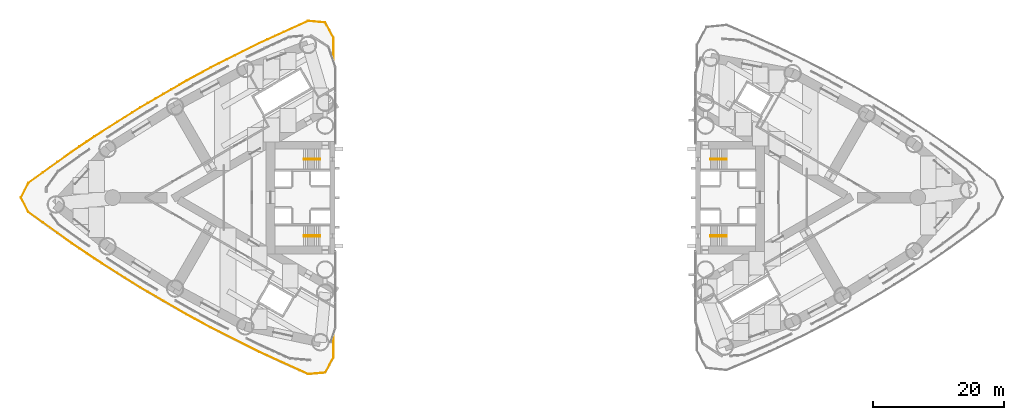
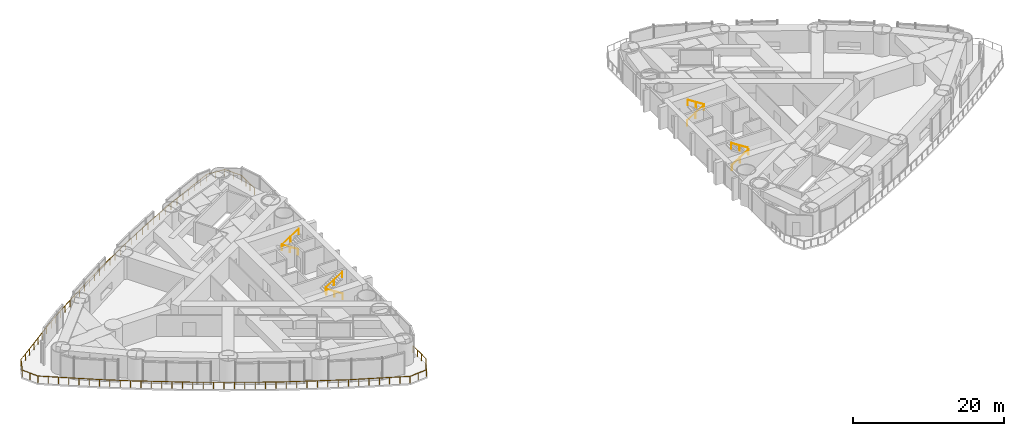
# One storey, part 18 of 19: 9 railings.
"""IFC4 building model written with IfcOpenShell, lengths in metres."""

from ifc_helpers import new_model, si_unit, direction, frame, origin, origin_2d, place, context, subcontext, project, spatial, circle, extrude, material, type_object, element, save


model = new_model("IFC4")

# Units and contexts
model_context = context("Model", 3, precision=1e-05, world=origin(), true_north=direction((0.0, 1.0)))
body_context = subcontext(model_context, "Body", "Model", "MODEL_VIEW")
ifc_project = project(units=[si_unit("LENGTHUNIT", "METRE"), si_unit("AREAUNIT", "SQUARE_METRE"), si_unit("VOLUMEUNIT", "CUBIC_METRE"), si_unit("PLANEANGLEUNIT", "RADIAN"), si_unit("MASSUNIT", "GRAM", prefix="KILO")], contexts=[model_context])

# Site, building, storey
site_placement = place(None, origin())
site = spatial("IfcSite", under=ifc_project, at=site_placement, CompositionType="ELEMENT")
building_placement = place(site_placement, origin())
building = spatial("IfcBuilding", under=site, at=building_placement, Name="Lancet Gate Hotel", CompositionType="ELEMENT")
storey_placement = place(building_placement, frame((0.0, 0.0, 87.0)))
storey = spatial("IfcBuildingStorey", under=building, at=storey_placement, Name="L22", CompositionType="ELEMENT", Elevation=87.0)

# Railings
ifc_material_1 = material(Name="Galvanised steel guard rail", Category="steel")
railing_type_1 = type_object("IfcRailingType", Name="Roof guard rail 1100", PredefinedType="GUARDRAIL", material=ifc_material_1)
railing_1_placement = place(storey_placement, frame((-27.77001953125, 21.0625, 0.0)))
element("IfcRailing", 1, at=railing_1_placement, inside=storey, type_object=railing_type_1, Name="T1 L22 maintenance roof guard rail", PredefinedType="GUARDRAIL", context=body_context, shape_type="SweptSolid", body=[
    extrude(circle(Radius=0.02392578125, at=origin_2d()), frame((0.0, 0.0, 1.076171875), z_axis=(0.0, 1.0, 0.0), x_axis=(-1.0, 0.0, 0.0)), (0.0, 0.0, 1.0), 3.360595703125),
    extrude(circle(Radius=0.02392578125, at=origin_2d()), frame((0.0, 3.360595703125, 1.076171875), z_axis=(-0.474657984829, 0.880170322971, 0.0), x_axis=(-0.880170322971, -0.474657984829, 0.0)), (0.0, 0.0, 1.0), 2.634033203125),
    extrude(circle(Radius=0.02392578125, at=origin_2d()), frame((-1.250244140625, 5.678955078125, 1.076171875), z_axis=(-0.996201162881, 0.087081818278, 0.0), x_axis=(-0.087081818278, -0.996201162881, 0.0)), (0.0, 0.0, 1.0), 2.632568359375),
    extrude(circle(Radius=0.02392578125, at=origin_2d()), frame((-3.872802734375, 5.908203125, 1.076171875), z_axis=(-0.910180877163, -0.414211022121, 0.0), x_axis=(0.414211022121, -0.910180877163, 0.0)), (0.0, 0.0, 1.0), 8.202880859375),
    extrude(circle(Radius=0.02392578125, at=origin_2d()), frame((-11.3388671875, 2.510498046875, 1.076171875), z_axis=(-0.893296544097, -0.449467778938, 0.0), x_axis=(0.449467778938, -0.893296544097, 0.0)), (0.0, 0.0, 1.0), 8.269287109375),
    extrude(circle(Radius=0.02392578125, at=origin_2d()), frame((-18.725830078125, -1.206298828125, 1.076171875), z_axis=(-0.879694497586, -0.475539263276, 0.0), x_axis=(0.475539263276, -0.879694497586, 0.0)), (0.0, 0.0, 1.0), 4.135009765625),
    extrude(circle(Radius=0.02392578125, at=origin_2d()), frame((-22.36328125, -3.172607421875, 1.076171875), z_axis=(-0.86533059758, -0.501201513258, 0.0), x_axis=(0.501201513258, -0.86533059758, 0.0)), (0.0, 0.0, 1.0), 8.269775390625),
    extrude(circle(Radius=0.02392578125, at=origin_2d()), frame((-29.519287109375, -7.3173828125, 1.076171875), z_axis=(-0.845031194028, -0.534717010315, 0.0), x_axis=(0.534717010315, -0.845031194028, 0.0)), (0.0, 0.0, 1.0), 8.26953125),
    extrude(circle(Radius=0.02392578125, at=origin_2d()), frame((-36.50732421875, -11.7392578125, 1.076171875), z_axis=(-0.82895817475, -0.559310597536, 0.0), x_axis=(0.559310597536, -0.82895817475, 0.0)), (0.0, 0.0, 1.0), 4.135009765625),
    extrude(circle(Radius=0.02392578125, at=origin_2d()), frame((-39.93505859375, -14.052001953125, 1.076171875), z_axis=(-0.812174826088, -0.583414134101, 0.0), x_axis=(0.583414134101, -0.812174826088, 0.0)), (0.0, 0.0, 1.0), 8.20703125),
    extrude(circle(Radius=0.02392578125, at=origin_2d()), frame((-46.6005859375, -18.840087890625, 1.076171875), z_axis=(-0.447645766538, -0.894210974939, 0.0), x_axis=(0.894210974939, -0.447645766538, 0.0)), (0.0, 0.0, 1.0), 2.4853515625),
    extrude(circle(Radius=0.02392578125, at=origin_2d()), frame((-47.713134765625, -21.0625, 1.076171875), z_axis=(0.447645766538, -0.894210974939, 0.0), x_axis=(0.894210974939, 0.447645766538, 0.0)), (0.0, 0.0, 1.0), 2.4853515625),
    extrude(circle(Radius=0.02392578125, at=origin_2d()), frame((-46.6005859375, -23.284912109375, 1.076171875), z_axis=(0.812174826088, -0.583414134101, 0.0), x_axis=(0.583414134101, 0.812174826088, 0.0)), (0.0, 0.0, 1.0), 8.20703125),
    extrude(circle(Radius=0.02392578125, at=origin_2d()), frame((-39.93505859375, -28.072998046875, 1.076171875), z_axis=(0.82895817475, -0.559310597536, 0.0), x_axis=(0.559310597536, 0.82895817475, 0.0)), (0.0, 0.0, 1.0), 4.135009765625),
    extrude(circle(Radius=0.02392578125, at=origin_2d()), frame((-36.50732421875, -30.3857421875, 1.076171875), z_axis=(0.845031194028, -0.534717010315, 0.0), x_axis=(0.534717010315, 0.845031194028, 0.0)), (0.0, 0.0, 1.0), 8.26953125),
    extrude(circle(Radius=0.02392578125, at=origin_2d()), frame((-29.519287109375, -34.8076171875, 1.076171875), z_axis=(0.86533059758, -0.501201513258, 0.0), x_axis=(0.501201513258, 0.86533059758, 0.0)), (0.0, 0.0, 1.0), 8.269775390625),
    extrude(circle(Radius=0.02392578125, at=origin_2d()), frame((-22.36328125, -38.952392578125, 1.076171875), z_axis=(0.879694497586, -0.475539263276, 0.0), x_axis=(0.475539263276, 0.879694497586, 0.0)), (0.0, 0.0, 1.0), 4.135009765625),
    extrude(circle(Radius=0.02392578125, at=origin_2d()), frame((-18.725830078125, -40.918701171875, 1.076171875), z_axis=(0.893296544097, -0.449467778938, 0.0), x_axis=(0.449467778938, 0.893296544097, 0.0)), (0.0, 0.0, 1.0), 8.269287109375),
    extrude(circle(Radius=0.02392578125, at=origin_2d()), frame((-11.3388671875, -44.635498046875, 1.076171875), z_axis=(0.910180877163, -0.414211022121, 0.0), x_axis=(0.414211022121, 0.910180877163, 0.0)), (0.0, 0.0, 1.0), 8.202880859375),
    extrude(circle(Radius=0.02392578125, at=origin_2d()), frame((-3.872802734375, -48.033203125, 1.076171875), z_axis=(0.996201162881, 0.087081818278, 0.0), x_axis=(-0.087081818278, 0.996201162881, 0.0)), (0.0, 0.0, 1.0), 2.632568359375),
    extrude(circle(Radius=0.02392578125, at=origin_2d()), frame((-1.250244140625, -47.803955078125, 1.076171875), z_axis=(0.474657984829, 0.880170322971, 0.0), x_axis=(-0.880170322971, 0.474657984829, 0.0)), (0.0, 0.0, 1.0), 2.634033203125),
    extrude(circle(Radius=0.02392578125, at=origin_2d()), frame((0.0, -45.485595703125, 1.076171875), z_axis=(0.0, 1.0, 0.0), x_axis=(-1.0, 0.0, 0.0)), (0.0, 0.0, 1.0), 3.360595703125),
    extrude(circle(Radius=0.02099609375, at=origin_2d()), origin(), (0.0, 0.0, 1.0), 1.052001953125),
    extrude(circle(Radius=0.02099609375, at=origin_2d()), frame((0.0, 1.1201171875, 0.0)), (0.0, 0.0, 1.0), 1.052001953125),
    extrude(circle(Radius=0.02099609375, at=origin_2d()), frame((0.0, 2.240478515625, 0.0)), (0.0, 0.0, 1.0), 1.052001953125),
    extrude(circle(Radius=0.02099609375, at=origin_2d()), frame((0.0, 3.360595703125, 0.0)), (0.0, 0.0, 1.0), 1.052001953125),
    extrude(circle(Radius=0.02099609375, at=origin_2d()), frame((-0.625, 4.519775390625, 0.0)), (0.0, 0.0, 1.0), 1.052001953125),
    extrude(circle(Radius=0.02099609375, at=origin_2d()), frame((-1.250244140625, 5.678955078125, 0.0)), (0.0, 0.0, 1.0), 1.052001953125),
    extrude(circle(Radius=0.02099609375, at=origin_2d()), frame((-2.5615234375, 5.79345703125, 0.0)), (0.0, 0.0, 1.0), 1.052001953125),
    extrude(circle(Radius=0.02099609375, at=origin_2d()), frame((-3.872802734375, 5.908203125, 0.0)), (0.0, 0.0, 1.0), 1.052001953125),
    extrude(circle(Radius=0.02099609375, at=origin_2d()), frame((-5.1171875, 5.341796875, 0.0)), (0.0, 0.0, 1.0), 1.052001953125),
    extrude(circle(Radius=0.02099609375, at=origin_2d()), frame((-6.361572265625, 4.775634765625, 0.0)), (0.0, 0.0, 1.0), 1.052001953125),
    extrude(circle(Radius=0.02099609375, at=origin_2d()), frame((-7.60595703125, 4.20947265625, 0.0)), (0.0, 0.0, 1.0), 1.052001953125),
    extrude(circle(Radius=0.02099609375, at=origin_2d()), frame((-8.85009765625, 3.64306640625, 0.0)), (0.0, 0.0, 1.0), 1.052001953125),
    extrude(circle(Radius=0.02099609375, at=origin_2d()), frame((-10.094482421875, 3.07666015625, 0.0)), (0.0, 0.0, 1.0), 1.052001953125),
    extrude(circle(Radius=0.02099609375, at=origin_2d()), frame((-11.3388671875, 2.510498046875, 0.0)), (0.0, 0.0, 1.0), 1.052001953125),
    extrude(circle(Radius=0.02099609375, at=origin_2d()), frame((-12.570068359375, 1.89111328125, 0.0)), (0.0, 0.0, 1.0), 1.052001953125),
    extrude(circle(Radius=0.02099609375, at=origin_2d()), frame((-13.80126953125, 1.271484375, 0.0)), (0.0, 0.0, 1.0), 1.052001953125),
    extrude(circle(Radius=0.02099609375, at=origin_2d()), frame((-15.0322265625, 0.652099609375, 0.0)), (0.0, 0.0, 1.0), 1.052001953125),
    extrude(circle(Radius=0.02099609375, at=origin_2d()), frame((-16.263427734375, 0.03271484375, 0.0)), (0.0, 0.0, 1.0), 1.052001953125),
    extrude(circle(Radius=0.02099609375, at=origin_2d()), frame((-17.49462890625, -0.5869140625, 0.0)), (0.0, 0.0, 1.0), 1.052001953125),
    extrude(circle(Radius=0.02099609375, at=origin_2d()), frame((-18.725830078125, -1.206298828125, 0.0)), (0.0, 0.0, 1.0), 1.052001953125),
    extrude(circle(Radius=0.02099609375, at=origin_2d()), frame((-19.938232421875, -1.86181640625, 0.0)), (0.0, 0.0, 1.0), 1.052001953125),
    extrude(circle(Radius=0.02099609375, at=origin_2d()), frame((-21.15087890625, -2.51708984375, 0.0)), (0.0, 0.0, 1.0), 1.052001953125),
    extrude(circle(Radius=0.02099609375, at=origin_2d()), frame((-22.36328125, -3.172607421875, 0.0)), (0.0, 0.0, 1.0), 1.052001953125),
    extrude(circle(Radius=0.02099609375, at=origin_2d()), frame((-23.555908203125, -3.86328125, 0.0)), (0.0, 0.0, 1.0), 1.052001953125),
    extrude(circle(Radius=0.02099609375, at=origin_2d()), frame((-24.74853515625, -4.55419921875, 0.0)), (0.0, 0.0, 1.0), 1.052001953125),
    extrude(circle(Radius=0.02099609375, at=origin_2d()), frame((-25.94140625, -5.2451171875, 0.0)), (0.0, 0.0, 1.0), 1.052001953125),
    extrude(circle(Radius=0.02099609375, at=origin_2d()), frame((-27.134033203125, -5.935791015625, 0.0)), (0.0, 0.0, 1.0), 1.052001953125),
    extrude(circle(Radius=0.02099609375, at=origin_2d()), frame((-28.32666015625, -6.62646484375, 0.0)), (0.0, 0.0, 1.0), 1.052001953125),
    extrude(circle(Radius=0.02099609375, at=origin_2d()), frame((-29.519287109375, -7.3173828125, 0.0)), (0.0, 0.0, 1.0), 1.052001953125),
    extrude(circle(Radius=0.02099609375, at=origin_2d()), frame((-30.68408203125, -8.054443359375, 0.0)), (0.0, 0.0, 1.0), 1.052001953125),
    extrude(circle(Radius=0.02099609375, at=origin_2d()), frame((-31.8486328125, -8.791259765625, 0.0)), (0.0, 0.0, 1.0), 1.052001953125),
    extrude(circle(Radius=0.02099609375, at=origin_2d()), frame((-33.01318359375, -9.5283203125, 0.0)), (0.0, 0.0, 1.0), 1.052001953125),
    extrude(circle(Radius=0.02099609375, at=origin_2d()), frame((-34.177978515625, -10.265380859375, 0.0)), (0.0, 0.0, 1.0), 1.052001953125),
    extrude(circle(Radius=0.02099609375, at=origin_2d()), frame((-35.3427734375, -11.002197265625, 0.0)), (0.0, 0.0, 1.0), 1.052001953125),
    extrude(circle(Radius=0.02099609375, at=origin_2d()), frame((-36.50732421875, -11.7392578125, 0.0)), (0.0, 0.0, 1.0), 1.052001953125),
    extrude(circle(Radius=0.02099609375, at=origin_2d()), frame((-37.64990234375, -12.51025390625, 0.0)), (0.0, 0.0, 1.0), 1.052001953125),
    extrude(circle(Radius=0.02099609375, at=origin_2d()), frame((-38.79248046875, -13.281005859375, 0.0)), (0.0, 0.0, 1.0), 1.052001953125),
    extrude(circle(Radius=0.02099609375, at=origin_2d()), frame((-39.93505859375, -14.052001953125, 0.0)), (0.0, 0.0, 1.0), 1.052001953125),
    extrude(circle(Radius=0.02099609375, at=origin_2d()), frame((-41.0458984375, -14.85009765625, 0.0)), (0.0, 0.0, 1.0), 1.052001953125),
    extrude(circle(Radius=0.02099609375, at=origin_2d()), frame((-42.156982421875, -15.64794921875, 0.0)), (0.0, 0.0, 1.0), 1.052001953125),
    extrude(circle(Radius=0.02099609375, at=origin_2d()), frame((-43.267822265625, -16.446044921875, 0.0)), (0.0, 0.0, 1.0), 1.052001953125),
    extrude(circle(Radius=0.02099609375, at=origin_2d()), frame((-44.378662109375, -17.244140625, 0.0)), (0.0, 0.0, 1.0), 1.052001953125),
    extrude(circle(Radius=0.02099609375, at=origin_2d()), frame((-45.48974609375, -18.0419921875, 0.0)), (0.0, 0.0, 1.0), 1.052001953125),
    extrude(circle(Radius=0.02099609375, at=origin_2d()), frame((-46.6005859375, -18.840087890625, 0.0)), (0.0, 0.0, 1.0), 1.052001953125),
    extrude(circle(Radius=0.02099609375, at=origin_2d()), frame((-47.15673828125, -19.951171875, 0.0)), (0.0, 0.0, 1.0), 1.052001953125),
    extrude(circle(Radius=0.02099609375, at=origin_2d()), frame((-47.713134765625, -21.0625, 0.0)), (0.0, 0.0, 1.0), 1.052001953125),
    extrude(circle(Radius=0.02099609375, at=origin_2d()), frame((-47.15673828125, -22.173828125, 0.0)), (0.0, 0.0, 1.0), 1.052001953125),
    extrude(circle(Radius=0.02099609375, at=origin_2d()), frame((-46.6005859375, -23.284912109375, 0.0)), (0.0, 0.0, 1.0), 1.052001953125),
    extrude(circle(Radius=0.02099609375, at=origin_2d()), frame((-45.48974609375, -24.0830078125, 0.0)), (0.0, 0.0, 1.0), 1.052001953125),
    extrude(circle(Radius=0.02099609375, at=origin_2d()), frame((-44.378662109375, -24.880859375, 0.0)), (0.0, 0.0, 1.0), 1.052001953125),
    extrude(circle(Radius=0.02099609375, at=origin_2d()), frame((-43.267822265625, -25.678955078125, 0.0)), (0.0, 0.0, 1.0), 1.052001953125),
    extrude(circle(Radius=0.02099609375, at=origin_2d()), frame((-42.156982421875, -26.47705078125, 0.0)), (0.0, 0.0, 1.0), 1.052001953125),
    extrude(circle(Radius=0.02099609375, at=origin_2d()), frame((-41.0458984375, -27.27490234375, 0.0)), (0.0, 0.0, 1.0), 1.052001953125),
    extrude(circle(Radius=0.02099609375, at=origin_2d()), frame((-39.93505859375, -28.072998046875, 0.0)), (0.0, 0.0, 1.0), 1.052001953125),
    extrude(circle(Radius=0.02099609375, at=origin_2d()), frame((-38.79248046875, -28.843994140625, 0.0)), (0.0, 0.0, 1.0), 1.052001953125),
    extrude(circle(Radius=0.02099609375, at=origin_2d()), frame((-37.64990234375, -29.61474609375, 0.0)), (0.0, 0.0, 1.0), 1.052001953125),
    extrude(circle(Radius=0.02099609375, at=origin_2d()), frame((-36.50732421875, -30.3857421875, 0.0)), (0.0, 0.0, 1.0), 1.052001953125),
    extrude(circle(Radius=0.02099609375, at=origin_2d()), frame((-35.3427734375, -31.122802734375, 0.0)), (0.0, 0.0, 1.0), 1.052001953125),
    extrude(circle(Radius=0.02099609375, at=origin_2d()), frame((-34.177978515625, -31.859619140625, 0.0)), (0.0, 0.0, 1.0), 1.052001953125),
    extrude(circle(Radius=0.02099609375, at=origin_2d()), frame((-33.01318359375, -32.5966796875, 0.0)), (0.0, 0.0, 1.0), 1.052001953125),
    extrude(circle(Radius=0.02099609375, at=origin_2d()), frame((-31.8486328125, -33.333740234375, 0.0)), (0.0, 0.0, 1.0), 1.052001953125),
    extrude(circle(Radius=0.02099609375, at=origin_2d()), frame((-30.68408203125, -34.070556640625, 0.0)), (0.0, 0.0, 1.0), 1.052001953125),
    extrude(circle(Radius=0.02099609375, at=origin_2d()), frame((-29.519287109375, -34.8076171875, 0.0)), (0.0, 0.0, 1.0), 1.052001953125),
    extrude(circle(Radius=0.02099609375, at=origin_2d()), frame((-28.32666015625, -35.49853515625, 0.0)), (0.0, 0.0, 1.0), 1.052001953125),
    extrude(circle(Radius=0.02099609375, at=origin_2d()), frame((-27.134033203125, -36.189208984375, 0.0)), (0.0, 0.0, 1.0), 1.052001953125),
    extrude(circle(Radius=0.02099609375, at=origin_2d()), frame((-25.94140625, -36.8798828125, 0.0)), (0.0, 0.0, 1.0), 1.052001953125),
    extrude(circle(Radius=0.02099609375, at=origin_2d()), frame((-24.74853515625, -37.57080078125, 0.0)), (0.0, 0.0, 1.0), 1.052001953125),
    extrude(circle(Radius=0.02099609375, at=origin_2d()), frame((-23.555908203125, -38.26171875, 0.0)), (0.0, 0.0, 1.0), 1.052001953125),
    extrude(circle(Radius=0.02099609375, at=origin_2d()), frame((-22.36328125, -38.952392578125, 0.0)), (0.0, 0.0, 1.0), 1.052001953125),
    extrude(circle(Radius=0.02099609375, at=origin_2d()), frame((-21.15087890625, -39.60791015625, 0.0)), (0.0, 0.0, 1.0), 1.052001953125),
    extrude(circle(Radius=0.02099609375, at=origin_2d()), frame((-19.938232421875, -40.26318359375, 0.0)), (0.0, 0.0, 1.0), 1.052001953125),
    extrude(circle(Radius=0.02099609375, at=origin_2d()), frame((-18.725830078125, -40.918701171875, 0.0)), (0.0, 0.0, 1.0), 1.052001953125),
    extrude(circle(Radius=0.02099609375, at=origin_2d()), frame((-17.49462890625, -41.5380859375, 0.0)), (0.0, 0.0, 1.0), 1.052001953125),
    extrude(circle(Radius=0.02099609375, at=origin_2d()), frame((-16.263427734375, -42.15771484375, 0.0)), (0.0, 0.0, 1.0), 1.052001953125),
    extrude(circle(Radius=0.02099609375, at=origin_2d()), frame((-15.0322265625, -42.777099609375, 0.0)), (0.0, 0.0, 1.0), 1.052001953125),
    extrude(circle(Radius=0.02099609375, at=origin_2d()), frame((-13.80126953125, -43.396484375, 0.0)), (0.0, 0.0, 1.0), 1.052001953125),
    extrude(circle(Radius=0.02099609375, at=origin_2d()), frame((-12.570068359375, -44.01611328125, 0.0)), (0.0, 0.0, 1.0), 1.052001953125),
    extrude(circle(Radius=0.02099609375, at=origin_2d()), frame((-11.3388671875, -44.635498046875, 0.0)), (0.0, 0.0, 1.0), 1.052001953125),
    extrude(circle(Radius=0.02099609375, at=origin_2d()), frame((-10.094482421875, -45.20166015625, 0.0)), (0.0, 0.0, 1.0), 1.052001953125),
    extrude(circle(Radius=0.02099609375, at=origin_2d()), frame((-8.85009765625, -45.76806640625, 0.0)), (0.0, 0.0, 1.0), 1.052001953125),
    extrude(circle(Radius=0.02099609375, at=origin_2d()), frame((-7.60595703125, -46.33447265625, 0.0)), (0.0, 0.0, 1.0), 1.052001953125),
    extrude(circle(Radius=0.02099609375, at=origin_2d()), frame((-6.361572265625, -46.900634765625, 0.0)), (0.0, 0.0, 1.0), 1.052001953125),
    extrude(circle(Radius=0.02099609375, at=origin_2d()), frame((-5.1171875, -47.466796875, 0.0)), (0.0, 0.0, 1.0), 1.052001953125),
    extrude(circle(Radius=0.02099609375, at=origin_2d()), frame((-3.872802734375, -48.033203125, 0.0)), (0.0, 0.0, 1.0), 1.052001953125),
    extrude(circle(Radius=0.02099609375, at=origin_2d()), frame((-2.5615234375, -47.91845703125, 0.0)), (0.0, 0.0, 1.0), 1.052001953125),
    extrude(circle(Radius=0.02099609375, at=origin_2d()), frame((-1.250244140625, -47.803955078125, 0.0)), (0.0, 0.0, 1.0), 1.052001953125),
    extrude(circle(Radius=0.02099609375, at=origin_2d()), frame((-0.625, -46.644775390625, 0.0)), (0.0, 0.0, 1.0), 1.052001953125),
    extrude(circle(Radius=0.02099609375, at=origin_2d()), frame((0.0, -45.485595703125, 0.0)), (0.0, 0.0, 1.0), 1.052001953125),
    extrude(circle(Radius=0.02099609375, at=origin_2d()), frame((0.0, -44.365478515625, 0.0)), (0.0, 0.0, 1.0), 1.052001953125),
    extrude(circle(Radius=0.02099609375, at=origin_2d()), frame((0.0, -43.2451171875, 0.0)), (0.0, 0.0, 1.0), 1.052001953125),
    extrude(circle(Radius=0.02099609375, at=origin_2d()), frame((0.0, -42.125, 0.0)), (0.0, 0.0, 1.0), 1.052001953125),
])
ifc_material_2 = material(Name="Stainless steel handrail", Category="steel")
railing_type_2 = type_object("IfcRailingType", Name="Stair handrail 900", PredefinedType="HANDRAIL", material=ifc_material_2)
railing_2_placement = place(storey_placement, frame((-29.800048828125, 5.929931640625, 0.179931640625)))
element("IfcRailing", 2, at=railing_2_placement, inside=storey, type_object=railing_type_2, Name="ST1 handrail flight 1 L22", PredefinedType="HANDRAIL", context=body_context, shape_type="SweptSolid", body=[
    extrude(circle(Radius=0.02392578125, at=origin_2d()), frame((0.0, 0.0, 0.8759765625), z_axis=(-0.841162588446, 0.0, 0.540782303519), x_axis=(0.0, -1.0, 0.0)), (0.0, 0.0, 1.0), 2.995849609375),
    extrude(circle(Radius=0.02099609375, at=origin_2d()), origin(), (0.0, 0.0, 1.0), 0.851806640625),
    extrude(circle(Radius=0.02099609375, at=origin_2d()), frame((-1.260009765625, 0.0, 0.81005859375)), (0.0, 0.0, 1.0), 0.851806640625),
    extrude(circle(Radius=0.02099609375, at=origin_2d()), frame((-2.52001953125, 0.0, 1.6201171875)), (0.0, 0.0, 1.0), 0.851806640625),
])
railing_3_placement = place(storey_placement, frame((-32.320068359375, 5.77001953125, 1.97998046875)))
element("IfcRailing", 3, at=railing_3_placement, inside=storey, type_object=railing_type_2, Name="ST1 handrail flight 2 L22", PredefinedType="HANDRAIL", context=body_context, shape_type="SweptSolid", body=[
    extrude(circle(Radius=0.02392578125, at=origin_2d()), frame((0.0, 0.0, 0.8759765625), z_axis=(0.841162588446, 0.0, 0.540782303519), x_axis=(0.0, 1.0, 0.0)), (0.0, 0.0, 1.0), 2.995849609375),
    extrude(circle(Radius=0.02099609375, at=origin_2d()), origin(), (0.0, 0.0, 1.0), 0.851806640625),
    extrude(circle(Radius=0.02099609375, at=origin_2d()), frame((1.260009765625, 0.0, 0.81005859375)), (0.0, 0.0, 1.0), 0.851806640625),
    extrude(circle(Radius=0.02099609375, at=origin_2d()), frame((2.52001953125, 0.0, 1.6201171875)), (0.0, 0.0, 1.0), 0.851806640625),
])
railing_4_placement = place(storey_placement, frame((-29.800048828125, -5.929931640625, 0.179931640625)))
element("IfcRailing", 4, at=railing_4_placement, inside=storey, type_object=railing_type_2, Name="ST2 handrail flight 1 L22", PredefinedType="HANDRAIL", context=body_context, shape_type="SweptSolid", body=[
    extrude(circle(Radius=0.02392578125, at=origin_2d()), frame((0.0, 0.0, 0.8759765625), z_axis=(-0.841162588446, 0.0, 0.540782303519), x_axis=(0.0, -1.0, 0.0)), (0.0, 0.0, 1.0), 2.995849609375),
    extrude(circle(Radius=0.02099609375, at=origin_2d()), origin(), (0.0, 0.0, 1.0), 0.851806640625),
    extrude(circle(Radius=0.02099609375, at=origin_2d()), frame((-1.260009765625, 0.0, 0.81005859375)), (0.0, 0.0, 1.0), 0.851806640625),
    extrude(circle(Radius=0.02099609375, at=origin_2d()), frame((-2.52001953125, 0.0, 1.6201171875)), (0.0, 0.0, 1.0), 0.851806640625),
])
for number, where, name in (
    (5, (-32.320068359375, -5.77001953125, 1.97998046875), "ST2 handrail flight 2 L22"),
    (6, (29.800048828125, -5.929931640625, 0.179931640625), "ST3 handrail flight 1 L22"),
):
    element("IfcRailing", number, at=place(storey_placement, frame(where)), inside=storey, type_object=railing_type_2, Name=name, PredefinedType="HANDRAIL", context=body_context, shape_type="SweptSolid", body=[
        extrude(circle(Radius=0.02392578125, at=origin_2d()), frame((0.0, 0.0, 0.8759765625), z_axis=(0.841162588446, 0.0, 0.540782303519), x_axis=(0.0, 1.0, 0.0)), (0.0, 0.0, 1.0), 2.995849609375),
        extrude(circle(Radius=0.02099609375, at=origin_2d()), origin(), (0.0, 0.0, 1.0), 0.851806640625),
        extrude(circle(Radius=0.02099609375, at=origin_2d()), frame((1.260009765625, 0.0, 0.81005859375)), (0.0, 0.0, 1.0), 0.851806640625),
        extrude(circle(Radius=0.02099609375, at=origin_2d()), frame((2.52001953125, 0.0, 1.6201171875)), (0.0, 0.0, 1.0), 0.851806640625),
    ])
railing_5_placement = place(storey_placement, frame((32.320068359375, -5.77001953125, 1.97998046875)))
element("IfcRailing", 7, at=railing_5_placement, inside=storey, type_object=railing_type_2, Name="ST3 handrail flight 2 L22", PredefinedType="HANDRAIL", context=body_context, shape_type="SweptSolid", body=[
    extrude(circle(Radius=0.02392578125, at=origin_2d()), frame((0.0, 0.0, 0.8759765625), z_axis=(-0.841162588446, 0.0, 0.540782303519), x_axis=(0.0, -1.0, 0.0)), (0.0, 0.0, 1.0), 2.995849609375),
    extrude(circle(Radius=0.02099609375, at=origin_2d()), origin(), (0.0, 0.0, 1.0), 0.851806640625),
    extrude(circle(Radius=0.02099609375, at=origin_2d()), frame((-1.260009765625, 0.0, 0.81005859375)), (0.0, 0.0, 1.0), 0.851806640625),
    extrude(circle(Radius=0.02099609375, at=origin_2d()), frame((-2.52001953125, 0.0, 1.6201171875)), (0.0, 0.0, 1.0), 0.851806640625),
])
railing_6_placement = place(storey_placement, frame((29.800048828125, 5.929931640625, 0.179931640625)))
element("IfcRailing", 8, at=railing_6_placement, inside=storey, type_object=railing_type_2, Name="ST4 handrail flight 1 L22", PredefinedType="HANDRAIL", context=body_context, shape_type="SweptSolid", body=[
    extrude(circle(Radius=0.02392578125, at=origin_2d()), frame((0.0, 0.0, 0.8759765625), z_axis=(0.841162588446, 0.0, 0.540782303519), x_axis=(0.0, 1.0, 0.0)), (0.0, 0.0, 1.0), 2.995849609375),
    extrude(circle(Radius=0.02099609375, at=origin_2d()), origin(), (0.0, 0.0, 1.0), 0.851806640625),
    extrude(circle(Radius=0.02099609375, at=origin_2d()), frame((1.260009765625, 0.0, 0.81005859375)), (0.0, 0.0, 1.0), 0.851806640625),
    extrude(circle(Radius=0.02099609375, at=origin_2d()), frame((2.52001953125, 0.0, 1.6201171875)), (0.0, 0.0, 1.0), 0.851806640625),
])
railing_7_placement = place(storey_placement, frame((32.320068359375, 5.77001953125, 1.97998046875)))
element("IfcRailing", 9, at=railing_7_placement, inside=storey, type_object=railing_type_2, Name="ST4 handrail flight 2 L22", PredefinedType="HANDRAIL", context=body_context, shape_type="SweptSolid", body=[
    extrude(circle(Radius=0.02392578125, at=origin_2d()), frame((0.0, 0.0, 0.8759765625), z_axis=(-0.841162588446, 0.0, 0.540782303519), x_axis=(0.0, -1.0, 0.0)), (0.0, 0.0, 1.0), 2.995849609375),
    extrude(circle(Radius=0.02099609375, at=origin_2d()), origin(), (0.0, 0.0, 1.0), 0.851806640625),
    extrude(circle(Radius=0.02099609375, at=origin_2d()), frame((-1.260009765625, 0.0, 0.81005859375)), (0.0, 0.0, 1.0), 0.851806640625),
    extrude(circle(Radius=0.02099609375, at=origin_2d()), frame((-2.52001953125, 0.0, 1.6201171875)), (0.0, 0.0, 1.0), 0.851806640625),
])

save(model, "model.ifc")
